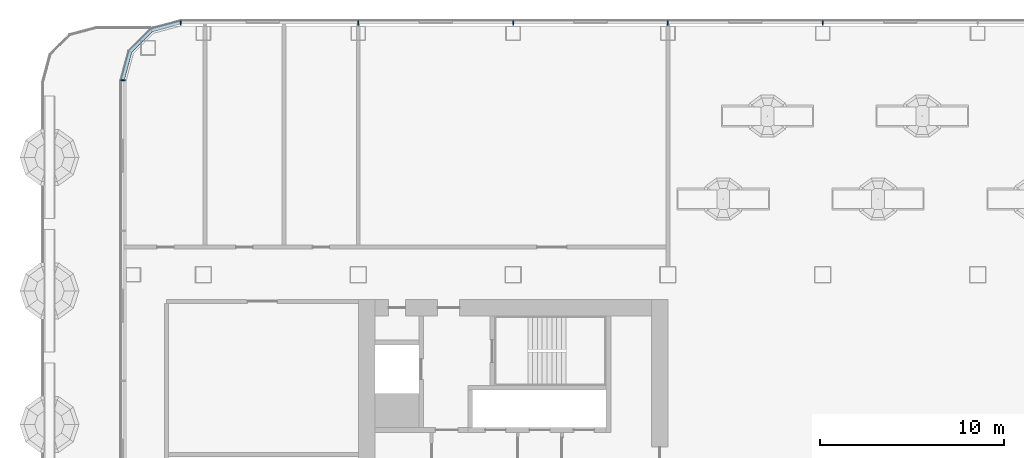
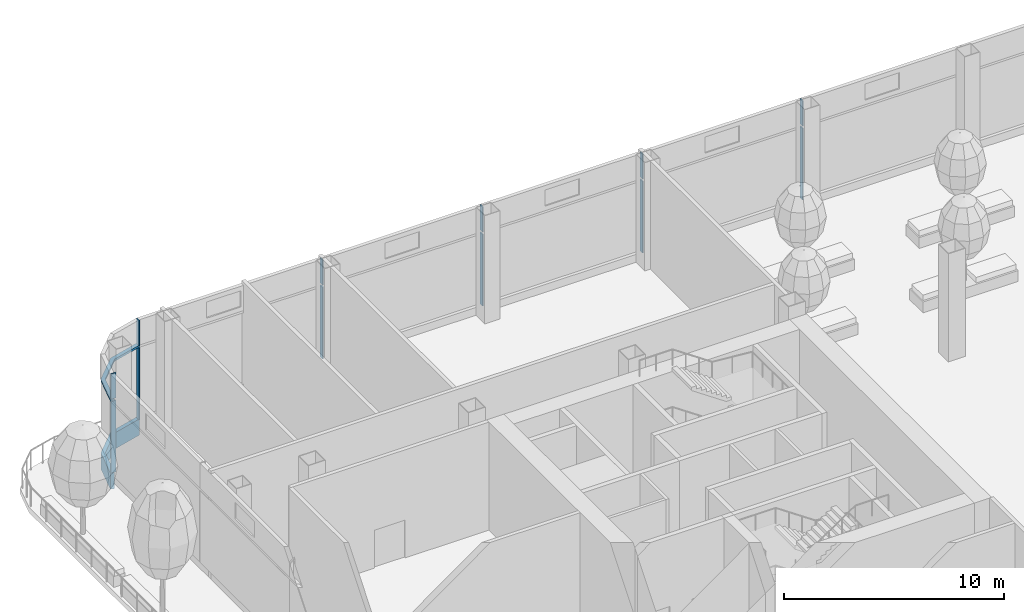
# One storey, part 5 of 44: 14 members, 3 elements without a shape of their own.
"""IFC4 building model written with IfcOpenShell, lengths in metres."""

from ifc_helpers import new_model, si_unit, direction, frame, origin, origin_2d, place, context, subcontext, project, spatial, polyline, rectangle, outline, extrude, material, layer, layer_set, material_profile, profile_set, type_object, element, aggregate, save


model = new_model("IFC4")

# Units and contexts
model_context = context("Model", 3, precision=1e-05, world=origin(), true_north=direction((0.0, 1.0)))
body_context = subcontext(model_context, "Body", "Model", "MODEL_VIEW")
ifc_project = project(units=[si_unit("LENGTHUNIT", "METRE"), si_unit("AREAUNIT", "SQUARE_METRE"), si_unit("VOLUMEUNIT", "CUBIC_METRE"), si_unit("PLANEANGLEUNIT", "RADIAN"), si_unit("MASSUNIT", "GRAM", prefix="KILO")], contexts=[model_context])

# Site, building, storey
site_placement = place(None, origin())
site = spatial("IfcSite", under=ifc_project, at=site_placement, CompositionType="ELEMENT")
building_placement = place(site_placement, origin())
building = spatial("IfcBuilding", under=site, at=building_placement, Name="Hakoniwa Tower and Hamabe Station Hall", CompositionType="ELEMENT")
storey_placement = place(building_placement, frame((0.0, 0.0, 69.0)))
storey = spatial("IfcBuildingStorey", under=building, at=storey_placement, Name="L19", CompositionType="ELEMENT", Elevation=69.0)

# Curtain wall, members
ifc_material_1 = material(Name="Dark low-e laminated glass", Category="glass")
ifc_layer = layer(ifc_material_1, 0.199951171875)
ifc_layer_set = layer_set([ifc_layer], Name="CW-2 SKY GARDEN")
curtain_wall_type = type_object("IfcCurtainWallType", Name="CW-2 SKY GARDEN", PredefinedType="NOTDEFINED", material=ifc_layer_set)
curtain_wall_1_placement = place(storey_placement, origin())
curtain_wall_1 = element("IfcCurtainWall", 1, at=curtain_wall_1_placement, inside=storey, type_object=curtain_wall_type, Name="CW-2 curtain wall", PredefinedType="NOTDEFINED")
ifc_material_2 = material(Name="Aluminium 6063-T5 black anodised", Category="aluminium")
ifc_material_profile_1 = material_profile(ifc_material_2, rectangle(XDim=0.199951171875, YDim=0.1201171875, at=origin_2d()), Name="CW MID TRANSOM 120X200")
ifc_profile_set_1 = profile_set([ifc_material_profile_1], Name="Aluminium 6063-T5 black anodised")
member_type_1 = type_object("IfcMemberType", Name="CW MID TRANSOM 120X200", PredefinedType="USERDEFINED", material=ifc_profile_set_1)
member_1_placement = place(storey_placement, frame((0.0, 0.0, 4.330078125)))
member_1 = element("IfcMember", 2, at=member_1_placement, type_object=member_type_1, Name="CW-2 transom", ObjectType="TRANSOM", PredefinedType="USERDEFINED", context=body_context, shape_type="SweptSolid", body=[
    extrude(outline(polyline([(-43.239501953125, 23.550048828125), (-44.855224609375, 23.116943359375), (-46.067138671875, 21.9052734375), (-46.5, 20.28955078125), (-46.306884765625, 20.23779296875), (-45.8876953125, 21.8017578125), (-44.751708984375, 22.937744140625), (-43.187744140625, 23.35693359375), (-43.239501953125, 23.550048828125)])), origin(), (0.0, 0.0, 1.0), 0.119873046875),
])
ifc_material_3 = material(Name="Aluminium 6063-T5 black anodised", Category="aluminium")
ifc_material_profile_2 = material_profile(ifc_material_3, rectangle(XDim=0.199951171875, YDim=0.89990234375, at=origin_2d()), Name="CW SLAB-EDGE BAND 900X200")
ifc_profile_set_2 = profile_set([ifc_material_profile_2], Name="Aluminium 6063-T5 black anodised")
member_type_2 = type_object("IfcMemberType", Name="CW SLAB-EDGE BAND 900X200", PredefinedType="USERDEFINED", material=ifc_profile_set_2)
member_2_placement = place(storey_placement, frame((0.0, 0.0, -0.550048828125)))
member_2 = element("IfcMember", 3, at=member_2_placement, type_object=member_type_2, Name="CW-2 transom", ObjectType="TRANSOM", PredefinedType="USERDEFINED", context=body_context, shape_type="SweptSolid", body=[
    extrude(outline(polyline([(-43.239501953125, 23.550048828125), (-44.855224609375, 23.116943359375), (-46.067138671875, 21.9052734375), (-46.5, 20.28955078125), (-46.306884765625, 20.23779296875), (-45.8876953125, 21.8017578125), (-44.751708984375, 22.937744140625), (-43.187744140625, 23.35693359375), (-43.239501953125, 23.550048828125)])), origin(), (0.0, 0.0, 1.0), 0.900146484375),
])
aggregate(curtain_wall_1, [member_2, member_1])

curtain_wall_2_placement = place(storey_placement, origin())
curtain_wall_2 = element("IfcCurtainWall", 4, at=curtain_wall_2_placement, inside=storey, type_object=curtain_wall_type, Name="CW-2 curtain wall", PredefinedType="NOTDEFINED")
ifc_material_4 = material(Name="Aluminium 6063-T5 black anodised", Category="aluminium")
ifc_material_profile_3 = material_profile(ifc_material_4, rectangle(XDim=0.06005859375, YDim=0.239990234375, at=origin_2d()), Name="CW-2 MULLION 60X240")
ifc_profile_set_3 = profile_set([ifc_material_profile_3], Name="Aluminium 6063-T5 black anodised")
member_type_3 = type_object("IfcMemberType", Name="CW-2 MULLION 60X240", PredefinedType="MULLION", material=ifc_profile_set_3)
member_3_placement = place(storey_placement, frame((-8.39990234375, 23.402099609375, 0.35009765625), z_axis=(0.0, 0.0, 1.0), x_axis=(-1.0, 0.0, 0.0)))
member_3 = element("IfcMember", 5, at=member_3_placement, type_object=member_type_3, Name="CW-2 mullion", PredefinedType="MULLION", context=body_context, shape_type="SweptSolid", body=[
    extrude(rectangle(XDim=0.06005859375, YDim=0.239990234375, at=origin_2d()), origin(), (0.0, 0.0, 1.0), 3.97998046875),
])
member_4_placement = place(storey_placement, frame((-8.39990234375, 23.402099609375, 4.449951171875), z_axis=(0.0, 0.0, 1.0), x_axis=(-1.0, 0.0, 0.0)))
member_4 = element("IfcMember", 6, at=member_4_placement, type_object=member_type_3, Name="CW-2 mullion", PredefinedType="MULLION", context=body_context, shape_type="SweptSolid", body=[
    extrude(rectangle(XDim=0.06005859375, YDim=0.239990234375, at=origin_2d()), origin(), (0.0, 0.0, 1.0), 1.400146484375),
])
member_5_placement = place(storey_placement, frame((-16.800048828125, 23.402099609375, 0.35009765625), z_axis=(0.0, 0.0, 1.0), x_axis=(-1.0, 0.0, 0.0)))
member_5 = element("IfcMember", 7, at=member_5_placement, type_object=member_type_3, Name="CW-2 mullion", PredefinedType="MULLION", context=body_context, shape_type="SweptSolid", body=[
    extrude(rectangle(XDim=0.06005859375, YDim=0.239990234375, at=origin_2d()), origin(), (0.0, 0.0, 1.0), 3.97998046875),
])
member_6_placement = place(storey_placement, frame((-16.800048828125, 23.402099609375, 4.449951171875), z_axis=(0.0, 0.0, 1.0), x_axis=(-1.0, 0.0, 0.0)))
member_6 = element("IfcMember", 8, at=member_6_placement, type_object=member_type_3, Name="CW-2 mullion", PredefinedType="MULLION", context=body_context, shape_type="SweptSolid", body=[
    extrude(rectangle(XDim=0.06005859375, YDim=0.239990234375, at=origin_2d()), origin(), (0.0, 0.0, 1.0), 1.400146484375),
])
member_7_placement = place(storey_placement, frame((-25.199951171875, 23.402099609375, 0.35009765625), z_axis=(0.0, 0.0, 1.0), x_axis=(-1.0, 0.0, 0.0)))
member_7 = element("IfcMember", 9, at=member_7_placement, type_object=member_type_3, Name="CW-2 mullion", PredefinedType="MULLION", context=body_context, shape_type="SweptSolid", body=[
    extrude(rectangle(XDim=0.06005859375, YDim=0.239990234375, at=origin_2d()), origin(), (0.0, 0.0, 1.0), 3.97998046875),
])
member_8_placement = place(storey_placement, frame((-25.199951171875, 23.402099609375, 4.449951171875), z_axis=(0.0, 0.0, 1.0), x_axis=(-1.0, 0.0, 0.0)))
member_8 = element("IfcMember", 10, at=member_8_placement, type_object=member_type_3, Name="CW-2 mullion", PredefinedType="MULLION", context=body_context, shape_type="SweptSolid", body=[
    extrude(rectangle(XDim=0.06005859375, YDim=0.239990234375, at=origin_2d()), origin(), (0.0, 0.0, 1.0), 1.400146484375),
])
member_9_placement = place(storey_placement, frame((-33.60009765625, 23.402099609375, 0.35009765625), z_axis=(0.0, 0.0, 1.0), x_axis=(-1.0, 0.0, 0.0)))
member_9 = element("IfcMember", 11, at=member_9_placement, type_object=member_type_3, Name="CW-2 mullion", PredefinedType="MULLION", context=body_context, shape_type="SweptSolid", body=[
    extrude(rectangle(XDim=0.06005859375, YDim=0.239990234375, at=origin_2d()), origin(), (0.0, 0.0, 1.0), 3.97998046875),
])
member_10_placement = place(storey_placement, frame((-33.60009765625, 23.402099609375, 4.449951171875), z_axis=(0.0, 0.0, 1.0), x_axis=(-1.0, 0.0, 0.0)))
member_10 = element("IfcMember", 12, at=member_10_placement, type_object=member_type_3, Name="CW-2 mullion", PredefinedType="MULLION", context=body_context, shape_type="SweptSolid", body=[
    extrude(rectangle(XDim=0.06005859375, YDim=0.239990234375, at=origin_2d()), origin(), (0.0, 0.0, 1.0), 1.400146484375),
])
member_11_placement = place(storey_placement, frame((-43.239501953125, 23.402099609375, 0.35009765625), z_axis=(0.0, 0.0, 1.0), x_axis=(-1.0, 0.0, 0.0)))
member_11 = element("IfcMember", 13, at=member_11_placement, type_object=member_type_3, Name="CW-2 mullion", PredefinedType="MULLION", context=body_context, shape_type="SweptSolid", body=[
    extrude(rectangle(XDim=0.06005859375, YDim=0.239990234375, at=origin_2d()), origin(), (0.0, 0.0, 1.0), 3.97998046875),
])
member_12_placement = place(storey_placement, frame((-43.239501953125, 23.402099609375, 4.449951171875), z_axis=(0.0, 0.0, 1.0), x_axis=(-1.0, 0.0, 0.0)))
member_12 = element("IfcMember", 14, at=member_12_placement, type_object=member_type_3, Name="CW-2 mullion", PredefinedType="MULLION", context=body_context, shape_type="SweptSolid", body=[
    extrude(rectangle(XDim=0.06005859375, YDim=0.239990234375, at=origin_2d()), origin(), (0.0, 0.0, 1.0), 1.400146484375),
])
aggregate(curtain_wall_2, [member_3, member_4, member_5, member_6, member_7, member_8, member_9, member_10, member_11, member_12])

curtain_wall_3_placement = place(storey_placement, origin())
curtain_wall_3 = element("IfcCurtainWall", 15, at=curtain_wall_3_placement, inside=storey, type_object=curtain_wall_type, Name="CW-2 curtain wall", PredefinedType="NOTDEFINED")
member_13_placement = place(storey_placement, frame((-46.35205078125, 20.28955078125, 0.35009765625), z_axis=(0.0, 0.0, 1.0), x_axis=(0.0, -1.0, 0.0)))
member_13 = element("IfcMember", 16, at=member_13_placement, type_object=member_type_3, Name="CW-2 mullion", PredefinedType="MULLION", context=body_context, shape_type="SweptSolid", body=[
    extrude(rectangle(XDim=0.06005859375, YDim=0.239990234375, at=origin_2d()), origin(), (0.0, 0.0, 1.0), 3.97998046875),
])
member_14_placement = place(storey_placement, frame((-46.35205078125, 20.28955078125, 4.449951171875), z_axis=(0.0, 0.0, 1.0), x_axis=(0.0, -1.0, 0.0)))
member_14 = element("IfcMember", 17, at=member_14_placement, type_object=member_type_3, Name="CW-2 mullion", PredefinedType="MULLION", context=body_context, shape_type="SweptSolid", body=[
    extrude(rectangle(XDim=0.06005859375, YDim=0.239990234375, at=origin_2d()), origin(), (0.0, 0.0, 1.0), 1.400146484375),
])
aggregate(curtain_wall_3, [member_13, member_14])

save(model, "model.ifc")
